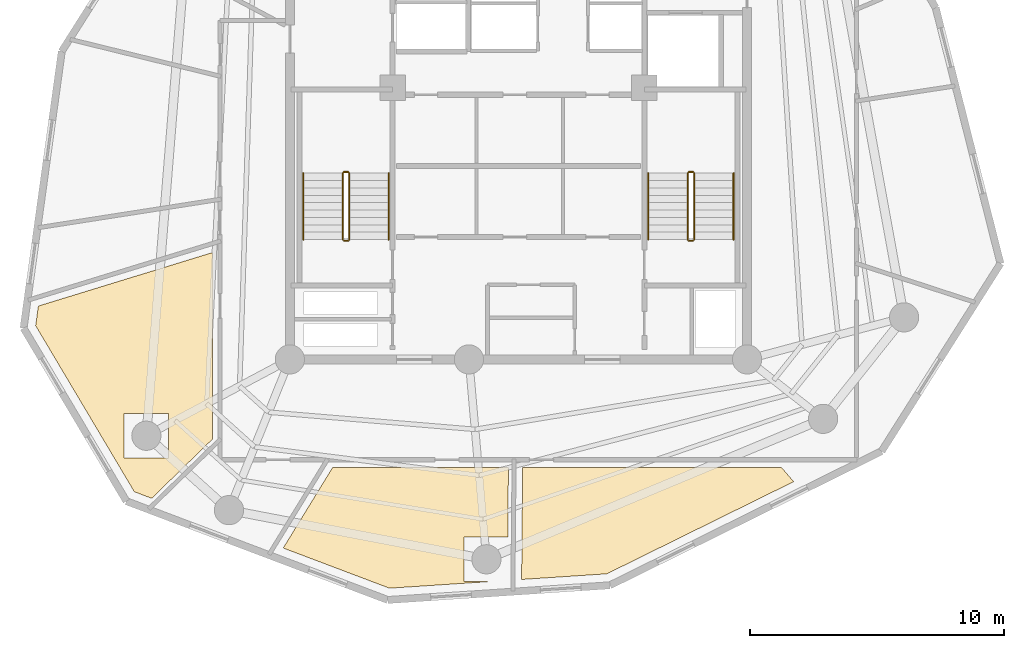
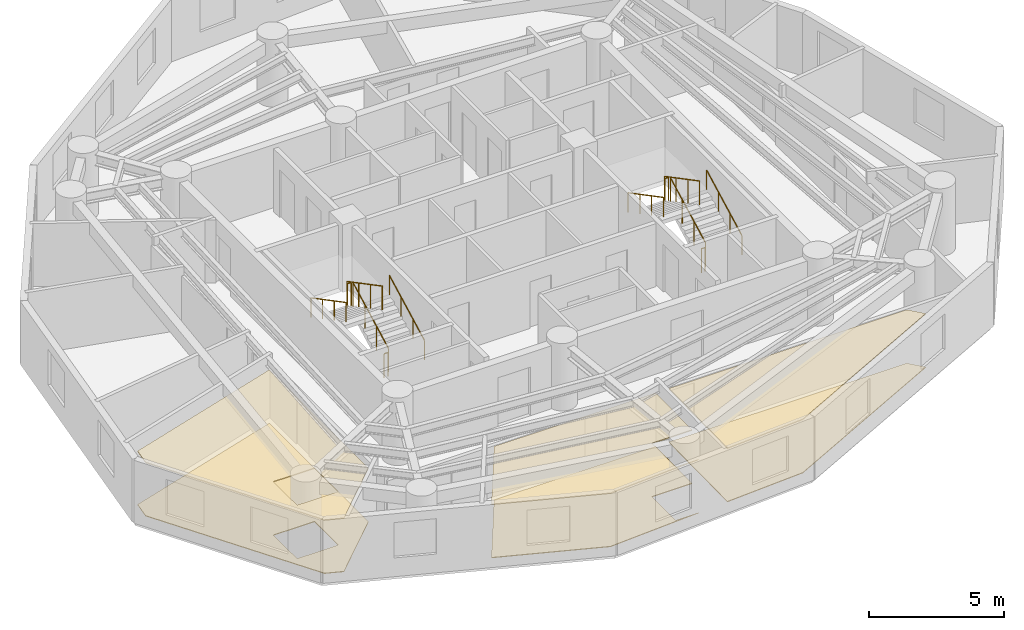
# One storey, part 6 of 6: 12 railings, 6 coverings.
"""IFC4 building model written with IfcOpenShell, lengths in metres."""

from ifc_helpers import new_model, si_unit, direction, frame, origin, origin_2d, place, context, subcontext, project, spatial, polyline, circle, outline, extrude, material, layer, layer_set, type_object, element, save


model = new_model("IFC4")

# Units and contexts
model_context = context("Model", 3, precision=1e-05, world=origin(), true_north=direction((0.0, 1.0)))
body_context = subcontext(model_context, "Body", "Model", "MODEL_VIEW")
ifc_project = project(units=[si_unit("LENGTHUNIT", "METRE"), si_unit("AREAUNIT", "SQUARE_METRE"), si_unit("VOLUMEUNIT", "CUBIC_METRE"), si_unit("PLANEANGLEUNIT", "RADIAN"), si_unit("MASSUNIT", "GRAM", prefix="KILO")], contexts=[model_context])

# Site, building, storey
site_placement = place(None, origin())
site = spatial("IfcSite", under=ifc_project, at=site_placement, CompositionType="ELEMENT")
building_placement = place(site_placement, origin())
building = spatial("IfcBuilding", under=site, at=building_placement, Name="Karkom Vertical University and Central Library", CompositionType="ELEMENT")
storey_placement = place(building_placement, frame((0.0, 0.0, 262.64990234375)))
storey = spatial("IfcBuildingStorey", under=building, at=storey_placement, Name="L78", CompositionType="ELEMENT", Elevation=262.64990234375)

# Coverings
ifc_material_1 = material(Name="Perforated mineral-fibre & timber-slat acoustic ceiling", Category="wood")
ifc_layer_1 = layer(ifc_material_1, 0.044921875)
ifc_layer_set_1 = layer_set([ifc_layer_1], Name="Perforated mineral-fibre & timber-slat acoustic ceiling")
covering_type_1 = type_object("IfcCoveringType", Name="INT-COV-CEIL", PredefinedType="CEILING", material=ifc_layer_set_1)
covering_1_placement = place(storey_placement, frame((0.0, 0.0, 2.405029296875)))
element("IfcCovering", 1, at=covering_1_placement, inside=storey, type_object=covering_type_1, Name="Level 78 Suspended Acoustic Ceiling L78-02", PredefinedType="CEILING", context=body_context, shape_type="SweptSolid", body=[
    extrude(outline(polyline([(13.37548828125, 13.08984375), (9.490966796875, 19.626953125), (9.597900390625, 20.401611328125), (16.449951171875, 22.506103515625), (16.449951171875, 15.159423828125), (14.058837890625, 12.83154296875), (13.37548828125, 13.08984375)]), holes=[polyline([(12.968994140625, 16.175048828125), (12.968994140625, 14.4150390625), (14.72900390625, 14.4150390625), (14.72900390625, 16.175048828125), (12.968994140625, 16.175048828125)])]), origin(), (0.0, 0.0, 1.0), 0.045166015625),
])
covering_2_placement = place(storey_placement, frame((0.0, 0.0, 2.405029296875)))
element("IfcCovering", 2, at=covering_2_placement, inside=storey, type_object=covering_type_1, Name="Level 78 Suspended Acoustic Ceiling L78-04", PredefinedType="CEILING", context=body_context, shape_type="SweptSolid", body=[
    extrude(outline(polyline([(19.2373046875, 10.873779296875), (21.186767578125, 14.050048828125), (28.10400390625, 14.050048828125), (28.07861328125, 11.31005859375), (26.35888671875, 11.31005859375), (26.35888671875, 9.550048828125), (27.32568359375, 9.550048828125), (23.421875, 9.291748046875), (19.2373046875, 10.873779296875)])), origin(), (0.0, 0.0, 1.0), 0.045166015625),
])
covering_3_placement = place(storey_placement, frame((0.0, 0.0, 2.405029296875)))
element("IfcCovering", 3, at=covering_3_placement, inside=storey, type_object=covering_type_1, Name="Level 78 Suspended Acoustic Ceiling L78-05", PredefinedType="CEILING", context=body_context, shape_type="SweptSolid", body=[
    extrude(outline(polyline([(28.664306640625, 14.050048828125), (38.85009765625, 14.050048828125), (39.334716796875, 13.487060546875), (31.9794921875, 9.85791015625), (28.623291015625, 9.635986328125), (28.664306640625, 14.050048828125)])), origin(), (0.0, 0.0, 1.0), 0.045166015625),
])
ifc_material_2 = material(Name="Honed Kota limestone & terrazzo flooring", Category="masonry")
ifc_layer_2 = layer(ifc_material_2, 0.030029296875)
ifc_layer_set_2 = layer_set([ifc_layer_2], Name="Honed Kota limestone & terrazzo flooring")
covering_type_2 = type_object("IfcCoveringType", Name="INT-COV-FLOOR", PredefinedType="FLOORING", material=ifc_layer_set_2)
covering_4_placement = place(storey_placement, origin())
element("IfcCovering", 4, at=covering_4_placement, inside=storey, type_object=covering_type_2, Name="Level 78 Kota Stone Floor Finish L78-02", PredefinedType="FLOORING", context=body_context, shape_type="SweptSolid", body=[
    extrude(outline(polyline([(13.37548828125, 13.08984375), (9.490966796875, 19.626953125), (9.597900390625, 20.401611328125), (16.449951171875, 22.506103515625), (16.449951171875, 15.159423828125), (14.058837890625, 12.83154296875), (13.37548828125, 13.08984375)]), holes=[polyline([(12.968994140625, 16.175048828125), (12.968994140625, 14.4150390625), (14.72900390625, 14.4150390625), (14.72900390625, 16.175048828125), (12.968994140625, 16.175048828125)])]), origin(), (0.0, 0.0, 1.0), 0.030029296875),
])
covering_5_placement = place(storey_placement, origin())
element("IfcCovering", 5, at=covering_5_placement, inside=storey, type_object=covering_type_2, Name="Level 78 Kota Stone Floor Finish L78-04", PredefinedType="FLOORING", context=body_context, shape_type="SweptSolid", body=[
    extrude(outline(polyline([(19.2373046875, 10.873779296875), (21.186767578125, 14.050048828125), (28.10400390625, 14.050048828125), (28.07861328125, 11.31005859375), (26.35888671875, 11.31005859375), (26.35888671875, 9.550048828125), (27.32568359375, 9.550048828125), (23.421875, 9.291748046875), (19.2373046875, 10.873779296875)])), origin(), (0.0, 0.0, 1.0), 0.030029296875),
])
covering_6_placement = place(storey_placement, origin())
element("IfcCovering", 6, at=covering_6_placement, inside=storey, type_object=covering_type_2, Name="Level 78 Kota Stone Floor Finish L78-05", PredefinedType="FLOORING", context=body_context, shape_type="SweptSolid", body=[
    extrude(outline(polyline([(28.664306640625, 14.050048828125), (38.85009765625, 14.050048828125), (39.334716796875, 13.487060546875), (31.9794921875, 9.85791015625), (28.623291015625, 9.635986328125), (28.664306640625, 14.050048828125)])), origin(), (0.0, 0.0, 1.0), 0.030029296875),
])

# Railings
ifc_material_3 = material(Name="Painted galvanised steel balustrade", Category="steel")
ifc_layer_3 = layer(ifc_material_3, 0.06005859375)
ifc_layer_set_3 = layer_set([ifc_layer_3], Name="Painted galvanised steel balustrade")
railing_type_1 = type_object("IfcRailingType", Name="INT-RL-GUARD1100", PredefinedType="GUARDRAIL", material=ifc_layer_set_3)
railing_1_placement = place(storey_placement, frame((21.840087890625, 23.02001953125, 0.152587890625)))
element("IfcRailing", 7, at=railing_1_placement, inside=storey, type_object=railing_type_1, Name="Level 78 ST-1 stair guard 1", PredefinedType="GUARDRAIL", context=body_context, shape_type="SweptSolid", body=[
    extrude(circle(Radius=0.02392578125, at=origin_2d()), frame((0.0, 0.0, 1.076171875), z_axis=(0.0, 0.885065446896, 0.46546659892), x_axis=(-1.0, 0.0, 0.0)), (0.0, 0.0, 1.0), 2.94873046875),
    extrude(circle(Radius=0.02099609375, at=origin_2d()), origin(), (0.0, 0.0, 1.0), 1.052001953125),
    extrude(circle(Radius=0.02099609375, at=origin_2d()), frame((0.0, 0.869873046875, 0.45751953125)), (0.0, 0.0, 1.0), 1.052001953125),
    extrude(circle(Radius=0.02099609375, at=origin_2d()), frame((0.0, 1.739990234375, 0.9150390625)), (0.0, 0.0, 1.0), 1.052001953125),
    extrude(circle(Radius=0.02099609375, at=origin_2d()), frame((0.0, 2.60986328125, 1.37255859375)), (0.0, 0.0, 1.0), 1.052001953125),
])
railing_2_placement = place(storey_placement, frame((21.7900390625, 25.679931640625, 1.525146484375)))
element("IfcRailing", 8, at=railing_2_placement, inside=storey, type_object=railing_type_1, Name="Level 78 ST-1 stair guard 2", PredefinedType="GUARDRAIL", context=body_context, shape_type="SweptSolid", body=[
    extrude(circle(Radius=0.02392578125, at=origin_2d()), frame((0.0, 0.0, 1.076171875), z_axis=(-1.0, 0.0, 0.0), x_axis=(0.0, -1.0, 0.0)), (0.0, 0.0, 1.0), 0.16015625),
    extrude(circle(Radius=0.02099609375, at=origin_2d()), origin(), (0.0, 0.0, 1.0), 1.052001953125),
    extrude(circle(Radius=0.02099609375, at=origin_2d()), frame((-0.16015625, 0.0, 0.0)), (0.0, 0.0, 1.0), 1.052001953125),
])
railing_3_placement = place(storey_placement, frame((21.580078125, 25.6298828125, 1.677490234375)))
element("IfcRailing", 9, at=railing_3_placement, inside=storey, type_object=railing_type_1, Name="Level 78 ST-1 stair guard 3", PredefinedType="GUARDRAIL", context=body_context, shape_type="SweptSolid", body=[
    extrude(circle(Radius=0.02392578125, at=origin_2d()), frame((0.0, 0.0, 1.076171875), z_axis=(0.0, -0.885065446896, 0.46546659892), x_axis=(1.0, 0.0, 0.0)), (0.0, 0.0, 1.0), 2.94873046875),
    extrude(circle(Radius=0.02099609375, at=origin_2d()), origin(), (0.0, 0.0, 1.0), 1.052001953125),
    extrude(circle(Radius=0.02099609375, at=origin_2d()), frame((0.0, -0.869873046875, 0.45751953125)), (0.0, 0.0, 1.0), 1.052001953125),
    extrude(circle(Radius=0.02099609375, at=origin_2d()), frame((0.0, -1.739990234375, 0.9150390625)), (0.0, 0.0, 1.0), 1.052001953125),
    extrude(circle(Radius=0.02099609375, at=origin_2d()), frame((0.0, -2.60986328125, 1.37255859375)), (0.0, 0.0, 1.0), 1.052001953125),
])
railing_4_placement = place(storey_placement, frame((21.7900390625, 22.969970703125, 0.0)))
element("IfcRailing", 10, at=railing_4_placement, inside=storey, type_object=railing_type_1, Name="Level 78 ST-1 stair guard 4", PredefinedType="GUARDRAIL", context=body_context, shape_type="SweptSolid", body=[
    extrude(circle(Radius=0.02392578125, at=origin_2d()), frame((0.0, 0.0, 1.076171875), z_axis=(-1.0, 0.0, 0.0), x_axis=(0.0, -1.0, 0.0)), (0.0, 0.0, 1.0), 0.16015625),
    extrude(circle(Radius=0.02099609375, at=origin_2d()), origin(), (0.0, 0.0, 1.0), 1.052001953125),
    extrude(circle(Radius=0.02099609375, at=origin_2d()), frame((-0.16015625, 0.0, 0.0)), (0.0, 0.0, 1.0), 1.052001953125),
])
railing_5_placement = place(storey_placement, frame((35.419921875, 23.02001953125, 0.152587890625)))
element("IfcRailing", 11, at=railing_5_placement, inside=storey, type_object=railing_type_1, Name="Level 78 ST-2 stair guard 1", PredefinedType="GUARDRAIL", context=body_context, shape_type="SweptSolid", body=[
    extrude(circle(Radius=0.02392578125, at=origin_2d()), frame((0.0, 0.0, 1.076171875), z_axis=(0.0, 0.885065446896, 0.46546659892), x_axis=(-1.0, 0.0, 0.0)), (0.0, 0.0, 1.0), 2.94873046875),
    extrude(circle(Radius=0.02099609375, at=origin_2d()), origin(), (0.0, 0.0, 1.0), 1.052001953125),
    extrude(circle(Radius=0.02099609375, at=origin_2d()), frame((0.0, 0.869873046875, 0.45751953125)), (0.0, 0.0, 1.0), 1.052001953125),
    extrude(circle(Radius=0.02099609375, at=origin_2d()), frame((0.0, 1.739990234375, 0.9150390625)), (0.0, 0.0, 1.0), 1.052001953125),
    extrude(circle(Radius=0.02099609375, at=origin_2d()), frame((0.0, 2.60986328125, 1.37255859375)), (0.0, 0.0, 1.0), 1.052001953125),
])
railing_6_placement = place(storey_placement, frame((35.3701171875, 25.679931640625, 1.525146484375)))
element("IfcRailing", 12, at=railing_6_placement, inside=storey, type_object=railing_type_1, Name="Level 78 ST-2 stair guard 2", PredefinedType="GUARDRAIL", context=body_context, shape_type="SweptSolid", body=[
    extrude(circle(Radius=0.02392578125, at=origin_2d()), frame((0.0, 0.0, 1.076171875), z_axis=(-1.0, 0.0, 0.0), x_axis=(0.0, -1.0, 0.0)), (0.0, 0.0, 1.0), 0.16015625),
    extrude(circle(Radius=0.02099609375, at=origin_2d()), origin(), (0.0, 0.0, 1.0), 1.052001953125),
    extrude(circle(Radius=0.02099609375, at=origin_2d()), frame((-0.16015625, 0.0, 0.0)), (0.0, 0.0, 1.0), 1.052001953125),
])
railing_7_placement = place(storey_placement, frame((35.159912109375, 25.6298828125, 1.677490234375)))
element("IfcRailing", 13, at=railing_7_placement, inside=storey, type_object=railing_type_1, Name="Level 78 ST-2 stair guard 3", PredefinedType="GUARDRAIL", context=body_context, shape_type="SweptSolid", body=[
    extrude(circle(Radius=0.02392578125, at=origin_2d()), frame((0.0, 0.0, 1.076171875), z_axis=(0.0, -0.885065446896, 0.46546659892), x_axis=(1.0, 0.0, 0.0)), (0.0, 0.0, 1.0), 2.94873046875),
    extrude(circle(Radius=0.02099609375, at=origin_2d()), origin(), (0.0, 0.0, 1.0), 1.052001953125),
    extrude(circle(Radius=0.02099609375, at=origin_2d()), frame((0.0, -0.869873046875, 0.45751953125)), (0.0, 0.0, 1.0), 1.052001953125),
    extrude(circle(Radius=0.02099609375, at=origin_2d()), frame((0.0, -1.739990234375, 0.9150390625)), (0.0, 0.0, 1.0), 1.052001953125),
    extrude(circle(Radius=0.02099609375, at=origin_2d()), frame((0.0, -2.60986328125, 1.37255859375)), (0.0, 0.0, 1.0), 1.052001953125),
])
railing_8_placement = place(storey_placement, frame((35.3701171875, 22.969970703125, 0.0)))
element("IfcRailing", 14, at=railing_8_placement, inside=storey, type_object=railing_type_1, Name="Level 78 ST-2 stair guard 4", PredefinedType="GUARDRAIL", context=body_context, shape_type="SweptSolid", body=[
    extrude(circle(Radius=0.02392578125, at=origin_2d()), frame((0.0, 0.0, 1.076171875), z_axis=(-1.0, 0.0, 0.0), x_axis=(0.0, -1.0, 0.0)), (0.0, 0.0, 1.0), 0.16015625),
    extrude(circle(Radius=0.02099609375, at=origin_2d()), origin(), (0.0, 0.0, 1.0), 1.052001953125),
    extrude(circle(Radius=0.02099609375, at=origin_2d()), frame((-0.16015625, 0.0, 0.0)), (0.0, 0.0, 1.0), 1.052001953125),
])
ifc_material_4 = material(Name="Brushed stainless-steel tubular handrail", Category="steel")
ifc_layer_4 = layer(ifc_material_4, 0.048095703125)
ifc_layer_set_4 = layer_set([ifc_layer_4], Name="Brushed stainless-steel tubular handrail")
railing_type_2 = type_object("IfcRailingType", Name="INT-RL-HAND920", PredefinedType="HANDRAIL", material=ifc_layer_set_4)
railing_9_placement = place(storey_placement, frame((23.389892578125, 23.02001953125, 0.152587890625)))
element("IfcRailing", 15, at=railing_9_placement, inside=storey, type_object=railing_type_2, Name="Level 78 ST-1 stair handrail 1", PredefinedType="HANDRAIL", context=body_context, shape_type="SweptSolid", body=[
    extrude(circle(Radius=0.02392578125, at=origin_2d()), frame((0.0, 0.0, 0.8759765625), z_axis=(0.0, 0.885065446896, 0.46546659892), x_axis=(-1.0, 0.0, 0.0)), (0.0, 0.0, 1.0), 2.94873046875),
    extrude(circle(Radius=0.02099609375, at=origin_2d()), origin(), (0.0, 0.0, 1.0), 0.851806640625),
    extrude(circle(Radius=0.02099609375, at=origin_2d()), frame((0.0, 0.869873046875, 0.45751953125)), (0.0, 0.0, 1.0), 0.851806640625),
    extrude(circle(Radius=0.02099609375, at=origin_2d()), frame((0.0, 1.739990234375, 0.9150390625)), (0.0, 0.0, 1.0), 0.851806640625),
    extrude(circle(Radius=0.02099609375, at=origin_2d()), frame((0.0, 2.60986328125, 1.37255859375)), (0.0, 0.0, 1.0), 0.851806640625),
])
railing_10_placement = place(storey_placement, frame((20.030029296875, 25.6298828125, 1.677490234375)))
element("IfcRailing", 16, at=railing_10_placement, inside=storey, type_object=railing_type_2, Name="Level 78 ST-1 stair handrail 2", PredefinedType="HANDRAIL", context=body_context, shape_type="SweptSolid", body=[
    extrude(circle(Radius=0.02392578125, at=origin_2d()), frame((0.0, 0.0, 0.8759765625), z_axis=(0.0, -0.885065446896, 0.46546659892), x_axis=(1.0, 0.0, 0.0)), (0.0, 0.0, 1.0), 2.94873046875),
    extrude(circle(Radius=0.02099609375, at=origin_2d()), origin(), (0.0, 0.0, 1.0), 0.851806640625),
    extrude(circle(Radius=0.02099609375, at=origin_2d()), frame((0.0, -0.869873046875, 0.45751953125)), (0.0, 0.0, 1.0), 0.851806640625),
    extrude(circle(Radius=0.02099609375, at=origin_2d()), frame((0.0, -1.739990234375, 0.9150390625)), (0.0, 0.0, 1.0), 0.851806640625),
    extrude(circle(Radius=0.02099609375, at=origin_2d()), frame((0.0, -2.60986328125, 1.37255859375)), (0.0, 0.0, 1.0), 0.851806640625),
])
railing_11_placement = place(storey_placement, frame((36.969970703125, 23.02001953125, 0.152587890625)))
element("IfcRailing", 17, at=railing_11_placement, inside=storey, type_object=railing_type_2, Name="Level 78 ST-2 stair handrail 1", PredefinedType="HANDRAIL", context=body_context, shape_type="SweptSolid", body=[
    extrude(circle(Radius=0.02392578125, at=origin_2d()), frame((0.0, 0.0, 0.8759765625), z_axis=(0.0, 0.885065446896, 0.46546659892), x_axis=(-1.0, 0.0, 0.0)), (0.0, 0.0, 1.0), 2.94873046875),
    extrude(circle(Radius=0.02099609375, at=origin_2d()), origin(), (0.0, 0.0, 1.0), 0.851806640625),
    extrude(circle(Radius=0.02099609375, at=origin_2d()), frame((0.0, 0.869873046875, 0.45751953125)), (0.0, 0.0, 1.0), 0.851806640625),
    extrude(circle(Radius=0.02099609375, at=origin_2d()), frame((0.0, 1.739990234375, 0.9150390625)), (0.0, 0.0, 1.0), 0.851806640625),
    extrude(circle(Radius=0.02099609375, at=origin_2d()), frame((0.0, 2.60986328125, 1.37255859375)), (0.0, 0.0, 1.0), 0.851806640625),
])
railing_12_placement = place(storey_placement, frame((33.610107421875, 25.6298828125, 1.677490234375)))
element("IfcRailing", 18, at=railing_12_placement, inside=storey, type_object=railing_type_2, Name="Level 78 ST-2 stair handrail 2", PredefinedType="HANDRAIL", context=body_context, shape_type="SweptSolid", body=[
    extrude(circle(Radius=0.02392578125, at=origin_2d()), frame((0.0, 0.0, 0.8759765625), z_axis=(0.0, -0.885065446896, 0.46546659892), x_axis=(1.0, 0.0, 0.0)), (0.0, 0.0, 1.0), 2.94873046875),
    extrude(circle(Radius=0.02099609375, at=origin_2d()), origin(), (0.0, 0.0, 1.0), 0.851806640625),
    extrude(circle(Radius=0.02099609375, at=origin_2d()), frame((0.0, -0.869873046875, 0.45751953125)), (0.0, 0.0, 1.0), 0.851806640625),
    extrude(circle(Radius=0.02099609375, at=origin_2d()), frame((0.0, -1.739990234375, 0.9150390625)), (0.0, 0.0, 1.0), 0.851806640625),
    extrude(circle(Radius=0.02099609375, at=origin_2d()), frame((0.0, -2.60986328125, 1.37255859375)), (0.0, 0.0, 1.0), 0.851806640625),
])

save(model, "model.ifc")
